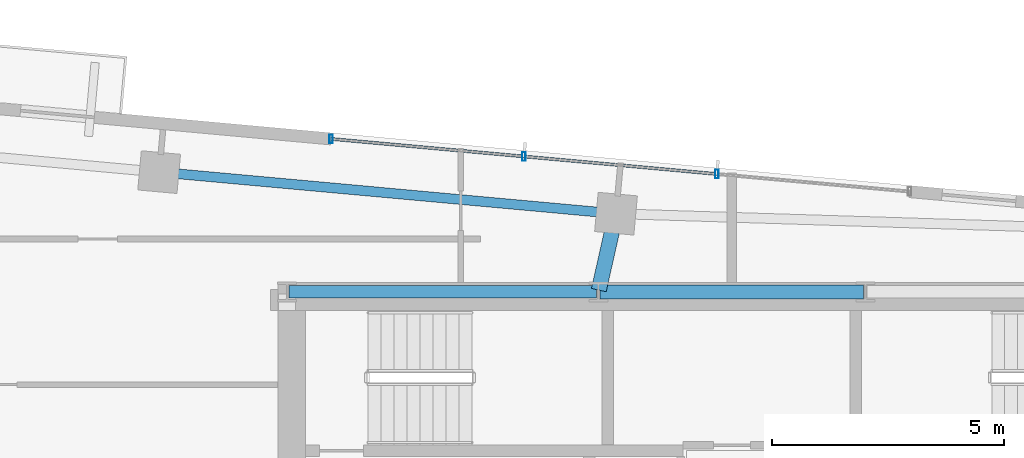
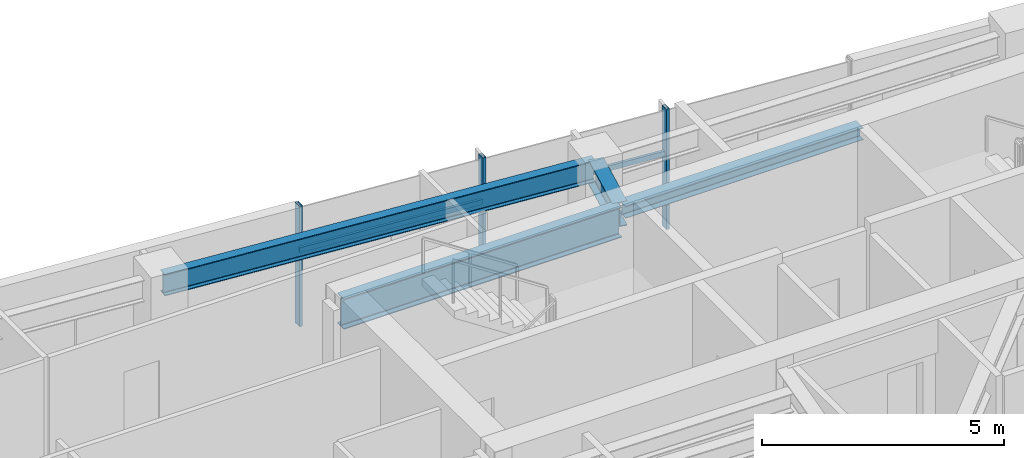
# One storey, part 10 of 22: 5 members, 4 beams, 1 element without a shape of its own.
"""IFC4 building model written with IfcOpenShell, lengths in metres."""

from ifc_helpers import new_model, si_unit, direction, frame, origin, origin_2d, place, context, subcontext, project, spatial, hollow_rectangle, i_section, extrude, source, transform, mapped, material, material_profile, profile_set, type_object, type_shapes, element, aggregate, save


model = new_model("IFC4")

# Units and contexts
model_context = context("Model", 3, precision=1e-05, world=origin(), true_north=direction((0.0, 1.0)))
body_context = subcontext(model_context, "Body", "Model", "MODEL_VIEW")
ifc_project = project(units=[si_unit("LENGTHUNIT", "METRE"), si_unit("AREAUNIT", "SQUARE_METRE"), si_unit("VOLUMEUNIT", "CUBIC_METRE"), si_unit("PLANEANGLEUNIT", "RADIAN"), si_unit("MASSUNIT", "GRAM", prefix="KILO")], contexts=[model_context])

# Site, building, storey
site_placement = place(None, origin())
site = spatial("IfcSite", under=ifc_project, at=site_placement, CompositionType="ELEMENT")
building_placement = place(site_placement, origin())
building = spatial("IfcBuilding", under=site, at=building_placement, Name="Astriad Promenade Condominiums", CompositionType="ELEMENT")
storey_placement = place(building_placement, frame((0.0, 0.0, 216.60009765625)))
storey = spatial("IfcBuildingStorey", under=building, at=storey_placement, Name="L62", CompositionType="ELEMENT", Elevation=216.60009765625)

# Beams
ifc_material_1 = material(Name="Steel ASTM A992 Grade 50", Category="steel")
ifc_material_profile_1 = material_profile(ifc_material_1, i_section(OverallWidth=0.267822265625, OverallDepth=0.76953125, WebThickness=0.015625, FlangeThickness=0.025390625, FilletRadius=0.021484375, at=origin_2d()), Name="W30X132")
ifc_profile_set_1 = profile_set([ifc_material_profile_1], Name="Steel ASTM A992 Grade 50")
beam_type_1 = type_object("IfcBeamType", Name="STEEL FLOOR GIRDER W30X132", PredefinedType="BEAM", material=ifc_profile_set_1)
shared_shape_1 = source(origin(), body_context, "Body", "SweptSolid", [
    extrude(i_section(OverallWidth=0.267822265625, OverallDepth=0.76953125, WebThickness=0.015625, FlangeThickness=0.025390625, FilletRadius=0.021484375, at=origin_2d()), origin(), (0.0, 0.0, 1.0), 6.64013671875),
])
type_shapes(beam_type_1, [shared_shape_1])
beam_1_placement = place(storey_placement, frame((26.43994140625, 24.0, 2.655029296875), z_axis=(1.0, 0.0, 0.0), x_axis=(0.0, 1.0, 0.0)))
element("IfcBeam", 1, at=beam_1_placement, inside=storey, type_object=beam_type_1, Name="Core Ring Beam CG-N1-L62", PredefinedType="BEAM", context=body_context, shape_type="MappedRepresentation", body=[
    mapped(shared_shape_1, transform((0.0, 0.0, 0.0), scale=1.0)),
])
ifc_material_profile_2 = material_profile(ifc_material_1, i_section(OverallWidth=0.3046875, OverallDepth=0.307861328125, WebThickness=0.010009765625, FlangeThickness=0.015380859375, FilletRadius=0.01513671875, at=origin_2d()), Name="W12X65")
ifc_profile_set_2 = profile_set([ifc_material_profile_2], Name="Steel ASTM A992 Grade 50")
beam_type_2 = type_object("IfcBeamType", Name="STEEL OPENING LINTEL W12X65", PredefinedType="LINTEL", material=ifc_profile_set_2)
shared_shape_2 = source(origin(), body_context, "Body", "SweptSolid", [
    extrude(i_section(OverallWidth=0.3046875, OverallDepth=0.307861328125, WebThickness=0.010009765625, FlangeThickness=0.015380859375, FilletRadius=0.01513671875, at=origin_2d()), origin(), (0.0, 0.0, 1.0), 5.68017578125),
])
type_shapes(beam_type_2, [shared_shape_2])
beam_2_placement = place(storey_placement, frame((33.159912109375, 24.0, 2.885986328125), z_axis=(1.0, 0.0, 0.0), x_axis=(0.0, 1.0, 0.0)))
element("IfcBeam", 2, at=beam_2_placement, inside=storey, type_object=beam_type_2, Name="Core Ring Beam CG-N2-L62", PredefinedType="LINTEL", context=body_context, shape_type="MappedRepresentation", body=[
    mapped(shared_shape_2, transform((0.0, 0.0, 0.0), scale=1.0)),
])
ifc_material_profile_3 = material_profile(ifc_material_1, i_section(OverallWidth=0.210693359375, OverallDepth=0.53955078125, WebThickness=0.01171875, FlangeThickness=0.018798828125, FilletRadius=0.0166015625, at=origin_2d()), Name="W21X73")
ifc_profile_set_3 = profile_set([ifc_material_profile_3], Name="Steel ASTM A992 Grade 50")
beam_type_3 = type_object("IfcBeamType", Name="STEEL SPANDREL BEAM W21X73", PredefinedType="SPANDREL", material=ifc_profile_set_3)
shared_shape_3 = source(origin(), body_context, "Body", "SweptSolid", [
    extrude(i_section(OverallWidth=0.210693359375, OverallDepth=0.53955078125, WebThickness=0.01171875, FlangeThickness=0.018798828125, FilletRadius=0.0166015625, at=origin_2d()), origin(), (0.0, 0.0, 1.0), 9.820068359375),
])
type_shapes(beam_type_3, [shared_shape_3])
beam_3_placement = place(storey_placement, frame((33.4599609375, 25.69189453125, 2.77001953125), z_axis=(-0.995885663174, 0.090618683965, 0.0), x_axis=(-0.090618683965, -0.995885663174, 0.0)))
element("IfcBeam", 3, at=beam_3_placement, inside=storey, type_object=beam_type_3, Name="Perimeter Spandrel Beam SP-N2-L62", PredefinedType="SPANDREL", context=body_context, shape_type="MappedRepresentation", body=[
    mapped(shared_shape_3, transform((0.0, 0.0, 0.0), scale=1.0)),
])
ifc_material_profile_4 = material_profile(ifc_material_1, i_section(OverallWidth=0.326416015625, OverallDepth=0.621826171875, WebThickness=0.015380859375, FlangeThickness=0.0244140625, FilletRadius=0.017822265625, at=origin_2d()), Name="W24X131")
ifc_profile_set_4 = profile_set([ifc_material_profile_4], Name="Steel ASTM A992 Grade 50")
beam_type_4 = type_object("IfcBeamType", Name="STEEL FLOOR GIRDER W24X131", PredefinedType="BEAM", material=ifc_profile_set_4)
shared_shape_4 = source(origin(), body_context, "Body", "SweptSolid", [
    extrude(i_section(OverallWidth=0.326416015625, OverallDepth=0.621826171875, WebThickness=0.015380859375, FlangeThickness=0.0244140625, FilletRadius=0.017822265625, at=origin_2d()), origin(), (0.0, 0.0, 1.0), 1.650390625),
])
type_shapes(beam_type_4, [shared_shape_4])
beam_4_placement = place(storey_placement, frame((33.490966796875, 25.649169921875, 2.72900390625), z_axis=(-0.219388986766, -0.975637469804, 0.0), x_axis=(0.975637469804, -0.219388986766, 0.0)))
element("IfcBeam", 4, at=beam_4_placement, inside=storey, type_object=beam_type_4, Name="Primary Floor Girder PG-NC-L62", PredefinedType="BEAM", context=body_context, shape_type="MappedRepresentation", body=[
    mapped(shared_shape_4, transform((0.0, 0.0, 0.0), scale=1.0)),
])

# Curtain wall, members
ifc_material_2 = material(Name="Anodised aluminium Black Dark Glass Unitised", Category="aluminium")
curtain_wall_type = type_object("IfcCurtainWallType", Name="CW-B5-DARK", PredefinedType="USERDEFINED", material=ifc_material_2)
curtain_wall_placement = place(storey_placement, origin())
curtain_wall = element("IfcCurtainWall", 5, at=curtain_wall_placement, inside=storey, type_object=curtain_wall_type, Name="CW-L62-N", ObjectType="UNITISED_CURTAIN_WALL", PredefinedType="USERDEFINED")
ifc_material_3 = material(Name="Anodised aluminium 6063-T6 Black", Category="aluminium")
ifc_material_profile_5 = material_profile(ifc_material_3, hollow_rectangle(XDim=0.074951171875, YDim=0.18505859375, WallThickness=0.00439453125, at=origin_2d()), Name="ALU-MUL-75X185")
ifc_profile_set_5 = profile_set([ifc_material_profile_5], Name="Anodised aluminium 6063-T6 Black")
member_type_1 = type_object("IfcMemberType", Name="MUL-ALU-MUL-75X185", PredefinedType="MULLION", material=ifc_profile_set_5)
shared_shape_5 = source(origin(), body_context, "Body", "SweptSolid", [
    extrude(hollow_rectangle(XDim=0.074951171875, YDim=0.18505859375, WallThickness=0.00439453125, at=origin_2d()), origin(), (0.0, 0.0, 1.0), 3.039794921875),
])
type_shapes(member_type_1, [shared_shape_5])
member_1_placement = place(storey_placement, frame((27.3505859375, 27.30224609375, 0.0), z_axis=(0.0, 0.0, 1.0), x_axis=(1.0, 0.0, 0.0)))
member_1 = element("IfcMember", 6, at=member_1_placement, type_object=member_type_1, Name="CW-L62-N-MUL-00", PredefinedType="MULLION", context=body_context, shape_type="MappedRepresentation", body=[
    mapped(shared_shape_5, transform((0.0, 0.0, 0.0), scale=1.0)),
])
member_2_placement = place(storey_placement, frame((31.513427734375, 26.92333984375, 0.0), z_axis=(0.0, 0.0, 1.0), x_axis=(1.0, 0.0, 0.0)))
member_2 = element("IfcMember", 7, at=member_2_placement, type_object=member_type_1, Name="CW-L62-N-MUL-01", PredefinedType="MULLION", context=body_context, shape_type="MappedRepresentation", body=[
    mapped(shared_shape_5, transform((0.0, 0.0, 0.0), scale=1.0)),
])
member_3_placement = place(storey_placement, frame((35.67626953125, 26.54443359375, 0.0), z_axis=(0.0, 0.0, 1.0), x_axis=(1.0, 0.0, 0.0)))
member_3 = element("IfcMember", 8, at=member_3_placement, type_object=member_type_1, Name="CW-L62-N-MUL-02", PredefinedType="MULLION", context=body_context, shape_type="MappedRepresentation", body=[
    mapped(shared_shape_5, transform((0.0, 0.0, 0.0), scale=1.0)),
])
ifc_material_profile_6 = material_profile(ifc_material_3, hollow_rectangle(XDim=0.06494140625, YDim=0.1298828125, WallThickness=0.00390625, at=origin_2d()), Name="ALU-TRN-65X130")
ifc_profile_set_6 = profile_set([ifc_material_profile_6], Name="Anodised aluminium 6063-T6 Black")
member_type_2 = type_object("IfcMemberType", Name="TRN-ALU-TRN-65X130", PredefinedType="USERDEFINED", material=ifc_profile_set_6)
shared_shape_6 = source(origin(), body_context, "Body", "SweptSolid", [
    extrude(hollow_rectangle(XDim=0.06494140625, YDim=0.1298828125, WallThickness=0.00390625, at=origin_2d()), origin(), (0.0, 0.0, 1.0), 4.179931640625),
])
type_shapes(member_type_2, [shared_shape_6])
member_4_placement = place(storey_placement, frame((27.3505859375, 27.30224609375, 1.884765625), z_axis=(0.995883146811, -0.090646334165, 0.0), x_axis=(0.090646334165, 0.995883146811, 0.0)))
member_4 = element("IfcMember", 9, at=member_4_placement, type_object=member_type_2, Name="CW-L62-N-TRN-00-0", ObjectType="TRANSOM", PredefinedType="USERDEFINED", context=body_context, shape_type="MappedRepresentation", body=[
    mapped(shared_shape_6, transform((0.0, 0.0, 0.0), scale=1.0)),
])
member_5_placement = place(storey_placement, frame((31.513427734375, 26.92333984375, 1.884765625), z_axis=(0.995883146811, -0.090646334165, 0.0), x_axis=(0.090646334165, 0.995883146811, 0.0)))
member_5 = element("IfcMember", 10, at=member_5_placement, type_object=member_type_2, Name="CW-L62-N-TRN-01-0", ObjectType="TRANSOM", PredefinedType="USERDEFINED", context=body_context, shape_type="MappedRepresentation", body=[
    mapped(shared_shape_6, transform((0.0, 0.0, 0.0), scale=1.0)),
])
aggregate(curtain_wall, [member_1, member_2, member_3, member_4, member_5])

save(model, "model.ifc")
